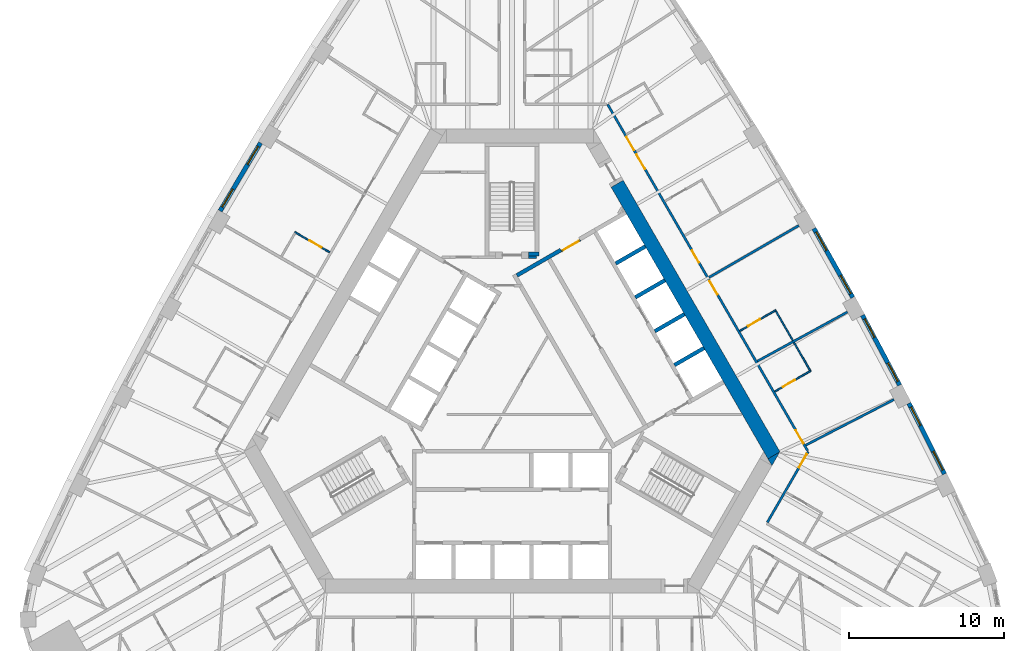
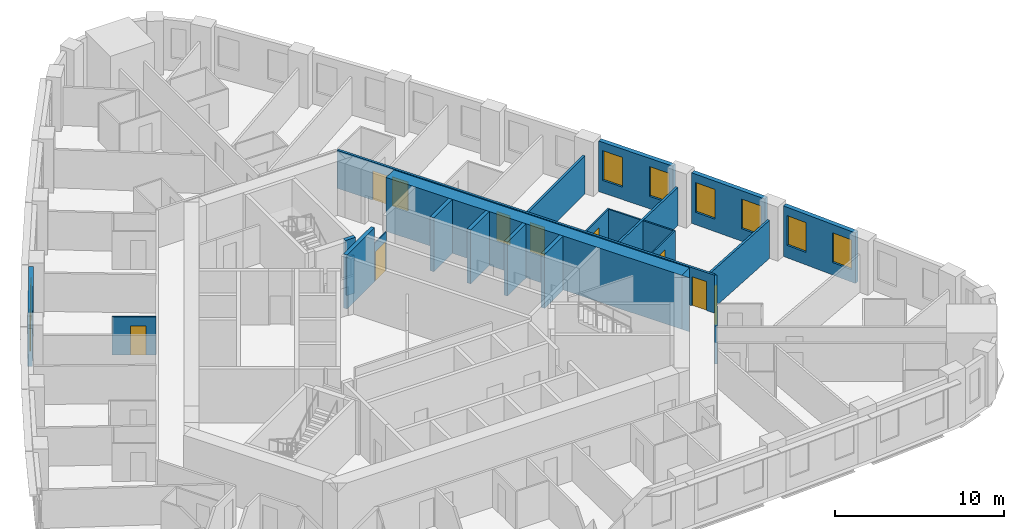
# One storey, part 9 of 13: 24 walls, 10 doors, 8 windows, 18 openings.
"""IFC4 building model written with IfcOpenShell, lengths in metres."""

from ifc_helpers import new_model, si_unit, direction, frame, frame_2d, origin, place, context, subcontext, project, spatial, polyline, rectangle, outline, extrude, material, layer, layer_set, type_object, element, fill, save


model = new_model("IFC4")

# Units and contexts
model_context = context("Model", 3, precision=1e-05, world=origin(), true_north=direction((0.0, 1.0)))
body_context = subcontext(model_context, "Body", "Model", "MODEL_VIEW")
ifc_project = project(units=[si_unit("LENGTHUNIT", "METRE"), si_unit("AREAUNIT", "SQUARE_METRE"), si_unit("VOLUMEUNIT", "CUBIC_METRE"), si_unit("PLANEANGLEUNIT", "RADIAN"), si_unit("MASSUNIT", "GRAM", prefix="KILO")], contexts=[model_context])

# Site, building, storey
site_placement = place(None, origin())
site = spatial("IfcSite", under=ifc_project, at=site_placement, CompositionType="ELEMENT")
building_placement = place(site_placement, origin())
building = spatial("IfcBuilding", under=site, at=building_placement, Name="Mestral Congress Tower", CompositionType="ELEMENT")
storey_placement = place(building_placement, frame((0.0, 0.0, 91.5)))
storey = spatial("IfcBuildingStorey", under=building, at=storey_placement, Name="L21", CompositionType="ELEMENT", Elevation=91.5)

# Wall
ifc_material_1 = material(Name="Fire-rated board partition")
ifc_layer_1 = layer(ifc_material_1, 0.14990234375)
ifc_layer_set_1 = layer_set([ifc_layer_1], Name="Fire-rated board partition")
wall_type_1 = type_object("IfcWallType", Name="Core partition 150", PredefinedType="PARTITIONING", material=ifc_layer_set_1)
wall_1_placement = place(storey_placement, frame((1.050048828125, 8.62548828125, 0.0), z_axis=(0.0, 0.0, 1.0), x_axis=(1.0, 0.0, 0.0)))
element("IfcWall", 1, at=wall_1_placement, inside=storey, type_object=wall_type_1, Name="L21 core wall", PredefinedType="PARTITIONING", context=body_context, shape_type="SweptSolid", body=[
    extrude(rectangle(XDim=0.513916015625, YDim=0.14990234375, at=frame_2d((0.2568359375, 0.0))), origin(), (0.0, 0.0, 1.0), 2.75),
])

# Wall, opening, door
ifc_layer_2 = layer(ifc_material_1, 0.090087890625)
ifc_layer_set_2 = layer_set([ifc_layer_2], Name="Fire-rated board partition")
wall_type_2 = type_object("IfcWallType", Name="Core partition 150 door-wall 90", PredefinedType="PARTITIONING", material=ifc_layer_set_2)
wall_2_placement = place(storey_placement, frame((3.182861328125, 9.02001953125, 0.0), z_axis=(0.0, 0.0, 1.0), x_axis=(0.866034573852, 0.49998411664, 0.0)))
wall_2 = element("IfcWall", 2, at=wall_2_placement, inside=storey, type_object=wall_type_2, Name="L21 door wall", PredefinedType="PARTITIONING", context=body_context, shape_type="SweptSolid", body=[
    extrude(rectangle(XDim=1.39990234375, YDim=0.090087890625, at=frame_2d((0.699951171875, 0.0))), origin(), (0.0, 0.0, 1.0), 2.75),
])
opening_1_placement = place(wall_2_placement, frame((0.10009765625, 0.0, 0.0)))
opening_1 = element("IfcOpeningElement", 3, at=opening_1_placement, cuts=wall_2, Name="Opening LB1-WL2", PredefinedType="OPENING", context=body_context, shape_type="SweptSolid", body=[
    extrude(rectangle(XDim=1.199951171875, YDim=2.10009765625, at=frame_2d((0.60009765625, 1.050048828125))), frame((0.0, 0.054931640625, 0.0), z_axis=(0.0, -1.0, 0.0), x_axis=(1.0, 0.0, 0.0)), (0.0, 0.0, 1.0), 0.110107421875),
])
ifc_material_2 = material(Name="Fire-rated steel door set", Category="steel")
door_type_1 = type_object("IfcDoorType", Name="Core door LB 1200x2100", OperationType="SINGLE_SWING_LEFT", PredefinedType="DOOR", material=ifc_material_2)
door_1_placement = place(opening_1_placement, origin())
door_1 = element("IfcDoor", 4, at=door_1_placement, inside=storey, type_object=door_type_1, Name="Door LB1-WL2", OperationType="SINGLE_SWING_LEFT", OverallHeight=2.10009765625, OverallWidth=1.199951171875, PredefinedType="DOOR", context=body_context, shape_type="SweptSolid", body=[
    extrude(rectangle(XDim=1.199951171875, YDim=2.10009765625, at=frame_2d((0.60009765625, 1.050048828125))), frame((0.0, 0.02490234375, 0.0), z_axis=(0.0, -1.0, 0.0), x_axis=(1.0, 0.0, 0.0)), (0.0, 0.0, 1.0), 0.050048828125),
])
fill(opening_1, door_1)

# Walls
ifc_material_3 = material(Name="Concrete C60/75", Category="concrete")
ifc_layer_3 = layer(ifc_material_3, 0.89990234375)
ifc_layer_set_3 = layer_set([ifc_layer_3], Name="Concrete C60/75")
wall_type_3 = type_object("IfcWallType", Name="Core wall RC 900", PredefinedType="SOLIDWALL", material=ifc_layer_set_3)
wall_3_placement = place(storey_placement, frame((6.77587890625, 13.36376953125, 0.0), z_axis=(0.0, 0.0, 1.0), x_axis=(0.500004177138, -0.8660229921, 0.0)))
element("IfcWall", 5, at=wall_3_placement, inside=storey, type_object=wall_type_3, Name="L21 core wall", PredefinedType="SOLIDWALL", context=body_context, shape_type="SweptSolid", body=[
    extrude(rectangle(XDim=20.203857421875, YDim=0.89990234375, at=frame_2d((10.10205078125, 0.0))), origin(), (0.0, 0.0, 1.0), 3.89990234375),
])
wall_4_placement = place(storey_placement, origin())
element("IfcWall", 6, at=wall_4_placement, inside=storey, type_object=wall_type_3, Name="L21 core wall", PredefinedType="SOLIDWALL", context=body_context, shape_type="SweptSolid", body=[
    extrude(outline(polyline([(16.7431640625, -4.800048828125), (16.4892578125, -4.360107421875), (17.251220703125, -3.920166015625), (16.7431640625, -4.800048828125)])), origin(), (0.0, 0.0, 1.0), 3.89990234375),
])

# Wall, openings, windows
ifc_material_4 = material(Name="Precast concrete C40/50 with limestone facing", Category="masonry")
ifc_layer_4 = layer(ifc_material_4, 0.2900390625)
ifc_layer_set_4 = layer_set([ifc_layer_4], Name="Precast concrete C40/50 with limestone facing")
wall_type_4 = type_object("IfcWallType", Name="Facade stone wall 290", PredefinedType="SOLIDWALL", material=ifc_layer_set_4)
wall_5_placement = place(storey_placement, frame((27.864013671875, -5.336181640625, 0.0), z_axis=(0.0, 0.0, 1.0), x_axis=(-0.448534297211, 0.893765620409, 0.0)))
wall_5 = element("IfcWall", 7, at=wall_5_placement, inside=storey, type_object=wall_type_4, Name="Facade wall F1-01", PredefinedType="SOLIDWALL", context=body_context, shape_type="SweptSolid", body=[
    extrude(rectangle(XDim=5.10009765625, YDim=0.2900390625, at=frame_2d((2.550048828125, 0.0))), origin(), (0.0, 0.0, 1.0), 3.64990234375),
])
opening_2_placement = place(wall_5_placement, frame((0.2724609375, 0.0, 0.89990234375)))
opening_2 = element("IfcOpeningElement", 8, at=opening_2_placement, cuts=wall_5, Name="Opening W2", PredefinedType="OPENING", context=body_context, shape_type="SweptSolid", body=[
    extrude(rectangle(XDim=1.35009765625, YDim=2.14990234375, at=frame_2d((0.675048828125, 1.074951171875))), frame((0.0, 0.155029296875, 0.0), z_axis=(0.0, -1.0, 0.0), x_axis=(1.0, 0.0, 0.0)), (0.0, 0.0, 1.0), 0.31005859375),
])
opening_3_placement = place(wall_5_placement, frame((3.477783203125, 0.0, 0.89990234375)))
opening_3 = element("IfcOpeningElement", 9, at=opening_3_placement, cuts=wall_5, Name="Opening W2", PredefinedType="OPENING", context=body_context, shape_type="SweptSolid", body=[
    extrude(rectangle(XDim=1.35009765625, YDim=2.14990234375, at=frame_2d((0.675048828125, 1.074951171875))), frame((0.0, 0.155029296875, 0.0), z_axis=(0.0, -1.0, 0.0), x_axis=(1.0, 0.0, 0.0)), (0.0, 0.0, 1.0), 0.31005859375),
])
ifc_material_5 = material(Name="Clear low-emissivity double glazing", Category="glass")
window_type = type_object("IfcWindowType", Name="Facade punched window 1350 x 2150 sill 900", PartitioningType="DOUBLE_PANEL_VERTICAL", PredefinedType="WINDOW", material=ifc_material_5)
window_1_placement = place(opening_2_placement, origin())
window_1 = element("IfcWindow", 10, at=window_1_placement, inside=storey, type_object=window_type, Name="Window F1-01a", OverallHeight=2.14990234375, OverallWidth=1.35009765625, PartitioningType="DOUBLE_PANEL_VERTICAL", PredefinedType="WINDOW", context=body_context, shape_type="SweptSolid", body=[
    extrude(rectangle(XDim=1.35009765625, YDim=2.14990234375, at=frame_2d((0.675048828125, 1.074951171875))), frame((0.0, 0.01513671875, 0.0), z_axis=(0.0, -1.0, 0.0), x_axis=(1.0, 0.0, 0.0)), (0.0, 0.0, 1.0), 0.06005859375),
])
fill(opening_2, window_1)
window_2_placement = place(opening_3_placement, origin())
window_2 = element("IfcWindow", 11, at=window_2_placement, inside=storey, type_object=window_type, Name="Window F1-01b", OverallHeight=2.14990234375, OverallWidth=1.35009765625, PartitioningType="DOUBLE_PANEL_VERTICAL", PredefinedType="WINDOW", context=body_context, shape_type="SweptSolid", body=[
    extrude(rectangle(XDim=1.35009765625, YDim=2.14990234375, at=frame_2d((0.675048828125, 1.074951171875))), frame((0.0, 0.01513671875, 0.0), z_axis=(0.0, -1.0, 0.0), x_axis=(1.0, 0.0, 0.0)), (0.0, 0.0, 1.0), 0.06005859375),
])
fill(opening_3, window_2)

wall_6_placement = place(storey_placement, frame((24.976806640625, 0.3828125, 0.0), z_axis=(0.0, 0.0, 1.0), x_axis=(-0.469323203119, 0.883026461106, 0.0)))
wall_6 = element("IfcWall", 12, at=wall_6_placement, inside=storey, type_object=wall_type_4, Name="Facade wall F1-02", PredefinedType="SOLIDWALL", context=body_context, shape_type="SweptSolid", body=[
    extrude(rectangle(XDim=5.1005859375, YDim=0.2900390625, at=frame_2d((2.55029296875, 0.0))), origin(), (0.0, 0.0, 1.0), 3.64990234375),
])
opening_4_placement = place(wall_6_placement, frame((0.272705078125, 0.0, 0.89990234375)))
opening_4 = element("IfcOpeningElement", 13, at=opening_4_placement, cuts=wall_6, Name="Opening W2", PredefinedType="OPENING", context=body_context, shape_type="SweptSolid", body=[
    extrude(rectangle(XDim=1.35009765625, YDim=2.14990234375, at=frame_2d((0.675048828125, 1.074951171875))), frame((0.0, 0.155029296875, 0.0), z_axis=(0.0, -1.0, 0.0), x_axis=(1.0, 0.0, 0.0)), (0.0, 0.0, 1.0), 0.31005859375),
])
opening_5_placement = place(wall_6_placement, frame((3.477783203125, 0.0, 0.89990234375)))
opening_5 = element("IfcOpeningElement", 14, at=opening_5_placement, cuts=wall_6, Name="Opening W2", PredefinedType="OPENING", context=body_context, shape_type="SweptSolid", body=[
    extrude(rectangle(XDim=1.35009765625, YDim=2.14990234375, at=frame_2d((0.675048828125, 1.074951171875))), frame((0.0, 0.155029296875, 0.0), z_axis=(0.0, -1.0, 0.0), x_axis=(1.0, 0.0, 0.0)), (0.0, 0.0, 1.0), 0.31005859375),
])
window_3_placement = place(opening_4_placement, origin())
window_3 = element("IfcWindow", 15, at=window_3_placement, inside=storey, type_object=window_type, Name="Window F1-02a", OverallHeight=2.14990234375, OverallWidth=1.35009765625, PartitioningType="DOUBLE_PANEL_VERTICAL", PredefinedType="WINDOW", context=body_context, shape_type="SweptSolid", body=[
    extrude(rectangle(XDim=1.35009765625, YDim=2.14990234375, at=frame_2d((0.675048828125, 1.074951171875))), frame((0.0, 0.01513671875, 0.0), z_axis=(0.0, -1.0, 0.0), x_axis=(1.0, 0.0, 0.0)), (0.0, 0.0, 1.0), 0.06005859375),
])
fill(opening_4, window_3)
window_4_placement = place(opening_5_placement, origin())
window_4 = element("IfcWindow", 16, at=window_4_placement, inside=storey, type_object=window_type, Name="Window F1-02b", OverallHeight=2.14990234375, OverallWidth=1.35009765625, PartitioningType="DOUBLE_PANEL_VERTICAL", PredefinedType="WINDOW", context=body_context, shape_type="SweptSolid", body=[
    extrude(rectangle(XDim=1.35009765625, YDim=2.14990234375, at=frame_2d((0.675048828125, 1.074951171875))), frame((0.0, 0.01513671875, 0.0), z_axis=(0.0, -1.0, 0.0), x_axis=(1.0, 0.0, 0.0)), (0.0, 0.0, 1.0), 0.06005859375),
])
fill(opening_5, window_4)

wall_7_placement = place(storey_placement, frame((21.956298828125, 6.033203125, 0.0), z_axis=(0.0, 0.0, 1.0), x_axis=(-0.48983164787, 0.87181704316, 0.0)))
wall_7 = element("IfcWall", 17, at=wall_7_placement, inside=storey, type_object=wall_type_4, Name="Facade wall F1-03", PredefinedType="SOLIDWALL", context=body_context, shape_type="SweptSolid", body=[
    extrude(rectangle(XDim=5.100341796875, YDim=0.2900390625, at=frame_2d((2.55029296875, 0.0))), origin(), (0.0, 0.0, 1.0), 3.64990234375),
])
opening_6_placement = place(wall_7_placement, frame((0.272705078125, 0.0, 0.89990234375)))
opening_6 = element("IfcOpeningElement", 18, at=opening_6_placement, cuts=wall_7, Name="Opening W2", PredefinedType="OPENING", context=body_context, shape_type="SweptSolid", body=[
    extrude(rectangle(XDim=1.35009765625, YDim=2.14990234375, at=frame_2d((0.675048828125, 1.074951171875))), frame((0.0, 0.155029296875, 0.0), z_axis=(0.0, -1.0, 0.0), x_axis=(1.0, 0.0, 0.0)), (0.0, 0.0, 1.0), 0.31005859375),
])
opening_7_placement = place(wall_7_placement, frame((3.477783203125, 0.0, 0.89990234375)))
opening_7 = element("IfcOpeningElement", 19, at=opening_7_placement, cuts=wall_7, Name="Opening W2", PredefinedType="OPENING", context=body_context, shape_type="SweptSolid", body=[
    extrude(rectangle(XDim=1.35009765625, YDim=2.14990234375, at=frame_2d((0.675048828125, 1.074951171875))), frame((0.0, 0.155029296875, 0.0), z_axis=(0.0, -1.0, 0.0), x_axis=(1.0, 0.0, 0.0)), (0.0, 0.0, 1.0), 0.31005859375),
])
window_5_placement = place(opening_6_placement, origin())
window_5 = element("IfcWindow", 20, at=window_5_placement, inside=storey, type_object=window_type, Name="Window F1-03a", OverallHeight=2.14990234375, OverallWidth=1.35009765625, PartitioningType="DOUBLE_PANEL_VERTICAL", PredefinedType="WINDOW", context=body_context, shape_type="SweptSolid", body=[
    extrude(rectangle(XDim=1.35009765625, YDim=2.14990234375, at=frame_2d((0.675048828125, 1.074951171875))), frame((0.0, 0.01513671875, 0.0), z_axis=(0.0, -1.0, 0.0), x_axis=(1.0, 0.0, 0.0)), (0.0, 0.0, 1.0), 0.06005859375),
])
fill(opening_6, window_5)
window_6_placement = place(opening_7_placement, origin())
window_6 = element("IfcWindow", 21, at=window_6_placement, inside=storey, type_object=window_type, Name="Window F1-03b", OverallHeight=2.14990234375, OverallWidth=1.35009765625, PartitioningType="DOUBLE_PANEL_VERTICAL", PredefinedType="WINDOW", context=body_context, shape_type="SweptSolid", body=[
    extrude(rectangle(XDim=1.35009765625, YDim=2.14990234375, at=frame_2d((0.675048828125, 1.074951171875))), frame((0.0, 0.01513671875, 0.0), z_axis=(0.0, -1.0, 0.0), x_axis=(1.0, 0.0, 0.0)), (0.0, 0.0, 1.0), 0.06005859375),
])
fill(opening_7, window_6)

wall_8_placement = place(storey_placement, frame((-16.203125, 15.998291015625, 0.0), z_axis=(0.0, 0.0, 1.0), x_axis=(-0.510054281659, -0.860142214847, 0.0)))
wall_8 = element("IfcWall", 22, at=wall_8_placement, inside=storey, type_object=wall_type_4, Name="Facade wall F2-03", PredefinedType="SOLIDWALL", context=body_context, shape_type="SweptSolid", body=[
    extrude(rectangle(XDim=5.1005859375, YDim=0.2900390625, at=frame_2d((2.55029296875, 0.0))), origin(), (0.0, 0.0, 1.0), 3.64990234375),
])
opening_8_placement = place(wall_8_placement, frame((0.272705078125, 0.0, 0.89990234375)))
opening_8 = element("IfcOpeningElement", 23, at=opening_8_placement, cuts=wall_8, Name="Opening W2", PredefinedType="OPENING", context=body_context, shape_type="SweptSolid", body=[
    extrude(rectangle(XDim=1.35009765625, YDim=2.14990234375, at=frame_2d((0.675048828125, 1.074951171875))), frame((0.0, 0.155029296875, 0.0), z_axis=(0.0, -1.0, 0.0), x_axis=(1.0, 0.0, 0.0)), (0.0, 0.0, 1.0), 0.31005859375),
])
opening_9_placement = place(wall_8_placement, frame((3.477783203125, 0.0, 0.89990234375)))
opening_9 = element("IfcOpeningElement", 24, at=opening_9_placement, cuts=wall_8, Name="Opening W2", PredefinedType="OPENING", context=body_context, shape_type="SweptSolid", body=[
    extrude(rectangle(XDim=1.35009765625, YDim=2.14990234375, at=frame_2d((0.675048828125, 1.074951171875))), frame((0.0, 0.155029296875, 0.0), z_axis=(0.0, -1.0, 0.0), x_axis=(1.0, 0.0, 0.0)), (0.0, 0.0, 1.0), 0.31005859375),
])
window_7_placement = place(opening_8_placement, origin())
window_7 = element("IfcWindow", 25, at=window_7_placement, inside=storey, type_object=window_type, Name="Window F2-03a", OverallHeight=2.14990234375, OverallWidth=1.35009765625, PartitioningType="DOUBLE_PANEL_VERTICAL", PredefinedType="WINDOW", context=body_context, shape_type="SweptSolid", body=[
    extrude(rectangle(XDim=1.35009765625, YDim=2.14990234375, at=frame_2d((0.675048828125, 1.074951171875))), frame((0.0, 0.01513671875, 0.0), z_axis=(0.0, -1.0, 0.0), x_axis=(1.0, 0.0, 0.0)), (0.0, 0.0, 1.0), 0.06005859375),
])
fill(opening_8, window_7)
window_8_placement = place(opening_9_placement, origin())
window_8 = element("IfcWindow", 26, at=window_8_placement, inside=storey, type_object=window_type, Name="Window F2-03b", OverallHeight=2.14990234375, OverallWidth=1.35009765625, PartitioningType="DOUBLE_PANEL_VERTICAL", PredefinedType="WINDOW", context=body_context, shape_type="SweptSolid", body=[
    extrude(rectangle(XDim=1.35009765625, YDim=2.14990234375, at=frame_2d((0.675048828125, 1.074951171875))), frame((0.0, 0.01513671875, 0.0), z_axis=(0.0, -1.0, 0.0), x_axis=(1.0, 0.0, 0.0)), (0.0, 0.0, 1.0), 0.06005859375),
])
fill(opening_9, window_8)

# Wall, opening, door
ifc_material_6 = material(Name="Gypsum board partition on metal studs with mineral wool", Category="composite")
ifc_layer_5 = layer(ifc_material_6, 0.10009765625)
ifc_layer_set_5 = layer_set([ifc_layer_5], Name="Gypsum board partition on metal studs with mineral wool")
wall_type_5 = type_object("IfcWallType", Name="Hotel partition wall 100", PredefinedType="PARTITIONING", material=ifc_layer_set_5)
wall_9_placement = place(storey_placement, frame((16.931396484375, -0.02587890625, 0.0), z_axis=(0.0, 0.0, 1.0), x_axis=(0.866059108428, 0.4999416173, 0.0)))
wall_9 = element("IfcWall", 27, at=wall_9_placement, inside=storey, type_object=wall_type_5, Name="L21-h-pod12a", PredefinedType="PARTITIONING", context=body_context, shape_type="SweptSolid", body=[
    extrude(rectangle(XDim=2.699951171875, YDim=0.10009765625, at=frame_2d((1.35009765625, 0.0))), origin(), (0.0, 0.0, 1.0), 2.75),
])
opening_10_placement = place(wall_9_placement, frame((0.60009765625, 0.0, 0.0)))
opening_10 = element("IfcOpeningElement", 28, at=opening_10_placement, cuts=wall_9, Name="Opening H06-023", PredefinedType="OPENING", context=body_context, shape_type="SweptSolid", body=[
    extrude(rectangle(XDim=0.89990234375, YDim=2.10009765625, at=frame_2d((0.449951171875, 1.050048828125))), frame((0.0, 0.06005859375, 0.0), z_axis=(0.0, -1.0, 0.0), x_axis=(1.0, 0.0, 0.0)), (0.0, 0.0, 1.0), 0.1201171875),
])
ifc_material_7 = material(Name="Timber veneer door leaf in timber frame", Category="wood")
door_type_2 = type_object("IfcDoorType", Name="Bathroom door 900", OperationType="SINGLE_SWING_LEFT", PredefinedType="DOOR", material=ifc_material_7)
door_2_placement = place(opening_10_placement, origin())
door_2 = element("IfcDoor", 29, at=door_2_placement, inside=storey, type_object=door_type_2, Name="L21-h-d023", OperationType="SINGLE_SWING_RIGHT", OverallHeight=2.10009765625, OverallWidth=0.89990234375, PredefinedType="DOOR", context=body_context, shape_type="SweptSolid", body=[
    extrude(rectangle(XDim=0.89990234375, YDim=2.10009765625, at=frame_2d((0.449951171875, 1.050048828125))), frame((0.0, 0.02490234375, 0.0), z_axis=(0.0, -1.0, 0.0), x_axis=(1.0, 0.0, 0.0)), (0.0, 0.0, 1.0), 0.050048828125),
])
fill(opening_10, door_2)

# Wall
wall_10_placement = place(storey_placement, frame((19.1962890625, 1.350830078125, 0.0), z_axis=(0.0, 0.0, 1.0), x_axis=(-0.499956128963, 0.866050731258, 0.0)))
element("IfcWall", 30, at=wall_10_placement, inside=storey, type_object=wall_type_5, Name="L21-h-pod12b", PredefinedType="PARTITIONING", context=body_context, shape_type="SweptSolid", body=[
    extrude(rectangle(XDim=2.050048828125, YDim=0.10009765625, at=frame_2d((1.02490234375, 0.0))), origin(), (0.0, 0.0, 1.0), 2.75),
])

# Wall, opening, door
wall_11_placement = place(storey_placement, frame((17.015625, 5.22802734375, 0.0), z_axis=(0.0, 0.0, 1.0), x_axis=(-0.86599734893, -0.500048589285, 0.0)))
wall_11 = element("IfcWall", 31, at=wall_11_placement, inside=storey, type_object=wall_type_5, Name="L21-h-pod13a", PredefinedType="PARTITIONING", context=body_context, shape_type="SweptSolid", body=[
    extrude(rectangle(XDim=2.699951171875, YDim=0.10009765625, at=frame_2d((1.35009765625, 0.0))), origin(), (0.0, 0.0, 1.0), 2.75),
])
opening_11_placement = place(wall_11_placement, frame((1.199951171875, 0.0, 0.0)))
opening_11 = element("IfcOpeningElement", 32, at=opening_11_placement, cuts=wall_11, Name="Opening H06-025", PredefinedType="OPENING", context=body_context, shape_type="SweptSolid", body=[
    extrude(rectangle(XDim=0.89990234375, YDim=2.10009765625, at=frame_2d((0.449951171875, 1.050048828125))), frame((0.0, 0.06005859375, 0.0), z_axis=(0.0, -1.0, 0.0), x_axis=(1.0, 0.0, 0.0)), (0.0, 0.0, 1.0), 0.1201171875),
])
door_3_placement = place(opening_11_placement, origin())
door_3 = element("IfcDoor", 33, at=door_3_placement, inside=storey, type_object=door_type_2, Name="L21-h-d025", OperationType="SINGLE_SWING_LEFT", OverallHeight=2.10009765625, OverallWidth=0.89990234375, PredefinedType="DOOR", context=body_context, shape_type="SweptSolid", body=[
    extrude(rectangle(XDim=0.89990234375, YDim=2.10009765625, at=frame_2d((0.449951171875, 1.050048828125))), frame((0.0, 0.02490234375, 0.0), z_axis=(0.0, -1.0, 0.0), x_axis=(1.0, 0.0, 0.0)), (0.0, 0.0, 1.0), 0.050048828125),
])
fill(opening_11, door_3)

# Wall
wall_12_placement = place(storey_placement, frame((16.997314453125, 5.15966796875, 0.0), z_axis=(0.0, 0.0, 1.0), x_axis=(0.500011965869, -0.866018495177, 0.0)))
element("IfcWall", 34, at=wall_12_placement, inside=storey, type_object=wall_type_5, Name="L21-h-pod13b", PredefinedType="PARTITIONING", context=body_context, shape_type="SweptSolid", body=[
    extrude(rectangle(XDim=2.18994140625, YDim=0.10009765625, at=frame_2d((1.094970703125, 0.0))), origin(), (0.0, 0.0, 1.0), 2.75),
])

# Wall, opening, door
wall_13_placement = place(storey_placement, frame((-11.74951171875, 8.949462890625, 0.0), z_axis=(0.0, 0.0, 1.0), x_axis=(-0.865997922154, 0.500047596559, 0.0)))
wall_13 = element("IfcWall", 35, at=wall_13_placement, inside=storey, type_object=wall_type_5, Name="L21-h-pod22a", PredefinedType="PARTITIONING", context=body_context, shape_type="SweptSolid", body=[
    extrude(rectangle(XDim=2.599853515625, YDim=0.10009765625, at=frame_2d((1.2998046875, 0.0))), origin(), (0.0, 0.0, 1.0), 2.75),
])
opening_12_placement = place(wall_13_placement, frame((0.60009765625, 0.0, 0.0)))
opening_12 = element("IfcOpeningElement", 36, at=opening_12_placement, cuts=wall_13, Name="Opening H06-042", PredefinedType="OPENING", context=body_context, shape_type="SweptSolid", body=[
    extrude(rectangle(XDim=0.89990234375, YDim=2.10009765625, at=frame_2d((0.449951171875, 1.050048828125))), frame((0.0, 0.06005859375, 0.0), z_axis=(0.0, -1.0, 0.0), x_axis=(1.0, 0.0, 0.0)), (0.0, 0.0, 1.0), 0.1201171875),
])
door_4_placement = place(opening_12_placement, origin())
door_4 = element("IfcDoor", 37, at=door_4_placement, inside=storey, type_object=door_type_2, Name="L21-h-d042", OperationType="SINGLE_SWING_LEFT", OverallHeight=2.10009765625, OverallWidth=0.89990234375, PredefinedType="DOOR", context=body_context, shape_type="SweptSolid", body=[
    extrude(rectangle(XDim=0.89990234375, YDim=2.10009765625, at=frame_2d((0.449951171875, 1.050048828125))), frame((0.0, 0.02490234375, 0.0), z_axis=(0.0, -1.0, 0.0), x_axis=(1.0, 0.0, 0.0)), (0.0, 0.0, 1.0), 0.050048828125),
])
fill(opening_12, door_4)

ifc_layer_6 = layer(ifc_material_6, 0.14990234375)
ifc_layer_set_6 = layer_set([ifc_layer_6], Name="Gypsum board partition on metal studs with mineral wool")
wall_type_6 = type_object("IfcWallType", Name="Hotel partition wall 150", PredefinedType="PARTITIONING", material=ifc_layer_set_6)
wall_14_placement = place(storey_placement, frame((19.081298828125, -3.89990234375, 0.0), z_axis=(0.0, 0.0, 1.0), x_axis=(-0.499974327079, -0.866040225545, 0.0)))
wall_14 = element("IfcWall", 38, at=wall_14_placement, inside=storey, type_object=wall_type_6, Name="L21-h-cw02", PredefinedType="PARTITIONING", context=body_context, shape_type="SweptSolid", body=[
    extrude(rectangle(XDim=5.258056640625, YDim=0.14990234375, at=frame_2d((2.62890625, 0.0))), origin(), (0.0, 0.0, 1.0), 2.75),
])
opening_13_placement = place(wall_14_placement, frame((0.179931640625, 0.0, 0.0)))
opening_13 = element("IfcOpeningElement", 39, at=opening_13_placement, cuts=wall_14, Name="Opening H06-020", PredefinedType="OPENING", context=body_context, shape_type="SweptSolid", body=[
    extrude(rectangle(XDim=1.0, YDim=2.10009765625, at=frame_2d((0.5, 1.050048828125))), frame((0.0, 0.0849609375, 0.0), z_axis=(0.0, -1.0, 0.0), x_axis=(1.0, 0.0, 0.0)), (0.0, 0.0, 1.0), 0.169921875),
])
ifc_material_8 = material(Name="Timber veneer door leaf in metal frame", Category="wood")
door_type_3 = type_object("IfcDoorType", Name="Guest room entrance door 1000", OperationType="SINGLE_SWING_LEFT", PredefinedType="DOOR", material=ifc_material_8)
door_5_placement = place(opening_13_placement, origin())
door_5 = element("IfcDoor", 40, at=door_5_placement, inside=storey, type_object=door_type_3, Name="L21-h-d020", OperationType="SINGLE_SWING_LEFT", OverallHeight=2.10009765625, OverallWidth=1.0, PredefinedType="DOOR", context=body_context, shape_type="SweptSolid", body=[
    extrude(rectangle(XDim=1.0, YDim=2.10009765625, at=frame_2d((0.5, 1.050048828125))), frame((0.0, 0.02490234375, 0.0), z_axis=(0.0, -1.0, 0.0), x_axis=(1.0, 0.0, 0.0)), (0.0, 0.0, 1.0), 0.050048828125),
])
fill(opening_13, door_5)

# Wall, openings, doors
wall_15_placement = place(storey_placement, frame((6.1630859375, 18.47509765625, 0.0), z_axis=(0.0, 0.0, 1.0), x_axis=(0.500001317485, -0.866024643133, 0.0)))
wall_15 = element("IfcWall", 41, at=wall_15_placement, inside=storey, type_object=wall_type_6, Name="L21-h-cw03", PredefinedType="PARTITIONING", context=body_context, shape_type="SweptSolid", body=[
    extrude(rectangle(XDim=25.7666015625, YDim=0.14990234375, at=frame_2d((12.88330078125, 0.0))), origin(), (0.0, 0.0, 1.0), 2.75),
])
opening_14_placement = place(wall_15_placement, frame((24.24072265625, 0.0, 0.0)))
opening_14 = element("IfcOpeningElement", 42, at=opening_14_placement, cuts=wall_15, Name="Opening H06-022", PredefinedType="OPENING", context=body_context, shape_type="SweptSolid", body=[
    extrude(rectangle(XDim=1.0, YDim=2.10009765625, at=frame_2d((0.5, 1.050048828125))), frame((0.0, 0.0849609375, 0.0), z_axis=(0.0, -1.0, 0.0), x_axis=(1.0, 0.0, 0.0)), (0.0, 0.0, 1.0), 0.169921875),
])
opening_15_placement = place(wall_15_placement, frame((13.143798828125, 0.0, 0.0)))
opening_15 = element("IfcOpeningElement", 43, at=opening_15_placement, cuts=wall_15, Name="Opening H06-024", PredefinedType="OPENING", context=body_context, shape_type="SweptSolid", body=[
    extrude(rectangle(XDim=1.0, YDim=2.10009765625, at=frame_2d((0.5, 1.050048828125))), frame((0.0, 0.0849609375, 0.0), z_axis=(0.0, -1.0, 0.0), x_axis=(1.0, 0.0, 0.0)), (0.0, 0.0, 1.0), 0.169921875),
])
opening_16_placement = place(wall_15_placement, frame((10.873779296875, 0.0, 0.0)))
opening_16 = element("IfcOpeningElement", 44, at=opening_16_placement, cuts=wall_15, Name="Opening H06-026", PredefinedType="OPENING", context=body_context, shape_type="SweptSolid", body=[
    extrude(rectangle(XDim=0.89990234375, YDim=2.10009765625, at=frame_2d((0.449951171875, 1.050048828125))), frame((0.0, 0.0849609375, 0.0), z_axis=(0.0, -1.0, 0.0), x_axis=(1.0, 0.0, 0.0)), (0.0, 0.0, 1.0), 0.169921875),
])
opening_17_placement = place(wall_15_placement, frame((3.718017578125, 0.0, 0.0)))
opening_17 = element("IfcOpeningElement", 45, at=opening_17_placement, cuts=wall_15, Name="Opening H06-027", PredefinedType="OPENING", context=body_context, shape_type="SweptSolid", body=[
    extrude(rectangle(XDim=1.10009765625, YDim=2.10009765625, at=frame_2d((0.550048828125, 1.050048828125))), frame((0.0, 0.0849609375, 0.0), z_axis=(0.0, -1.0, 0.0), x_axis=(1.0, 0.0, 0.0)), (0.0, 0.0, 1.0), 0.169921875),
])
opening_18_placement = place(wall_15_placement, frame((2.410888671875, 0.0, 0.0)))
opening_18 = element("IfcOpeningElement", 46, at=opening_18_placement, cuts=wall_15, Name="Opening H06-029", PredefinedType="OPENING", context=body_context, shape_type="SweptSolid", body=[
    extrude(rectangle(XDim=1.0, YDim=2.10009765625, at=frame_2d((0.5, 1.050048828125))), frame((0.0, 0.0849609375, 0.0), z_axis=(0.0, -1.0, 0.0), x_axis=(1.0, 0.0, 0.0)), (0.0, 0.0, 1.0), 0.169921875),
])
door_type_4 = type_object("IfcDoorType", Name="Accessible room entrance door 1100", OperationType="SINGLE_SWING_LEFT", PredefinedType="DOOR", material=ifc_material_8)
door_6_placement = place(opening_17_placement, origin())
door_6 = element("IfcDoor", 47, at=door_6_placement, inside=storey, type_object=door_type_4, Name="L21-h-d027", OperationType="SINGLE_SWING_LEFT", OverallHeight=2.10009765625, OverallWidth=1.10009765625, PredefinedType="DOOR", context=body_context, shape_type="SweptSolid", body=[
    extrude(rectangle(XDim=1.10009765625, YDim=2.10009765625, at=frame_2d((0.550048828125, 1.050048828125))), frame((0.0, 0.02490234375, 0.0), z_axis=(0.0, -1.0, 0.0), x_axis=(1.0, 0.0, 0.0)), (0.0, 0.0, 1.0), 0.050048828125),
])
fill(opening_17, door_6)
door_7_placement = place(opening_14_placement, origin())
door_7 = element("IfcDoor", 48, at=door_7_placement, inside=storey, type_object=door_type_3, Name="L21-h-d022", OperationType="SINGLE_SWING_RIGHT", OverallHeight=2.10009765625, OverallWidth=1.0, PredefinedType="DOOR", context=body_context, shape_type="SweptSolid", body=[
    extrude(rectangle(XDim=1.0, YDim=2.10009765625, at=frame_2d((0.5, 1.050048828125))), frame((0.0, 0.02490234375, 0.0), z_axis=(0.0, -1.0, 0.0), x_axis=(1.0, 0.0, 0.0)), (0.0, 0.0, 1.0), 0.050048828125),
])
fill(opening_14, door_7)
door_8_placement = place(opening_15_placement, origin())
door_8 = element("IfcDoor", 49, at=door_8_placement, inside=storey, type_object=door_type_3, Name="L21-h-d024", OperationType="SINGLE_SWING_LEFT", OverallHeight=2.10009765625, OverallWidth=1.0, PredefinedType="DOOR", context=body_context, shape_type="SweptSolid", body=[
    extrude(rectangle(XDim=1.0, YDim=2.10009765625, at=frame_2d((0.5, 1.050048828125))), frame((0.0, 0.02490234375, 0.0), z_axis=(0.0, -1.0, 0.0), x_axis=(1.0, 0.0, 0.0)), (0.0, 0.0, 1.0), 0.050048828125),
])
fill(opening_15, door_8)
door_9_placement = place(opening_18_placement, origin())
door_9 = element("IfcDoor", 50, at=door_9_placement, inside=storey, type_object=door_type_3, Name="L21-h-d029", OperationType="SINGLE_SWING_RIGHT", OverallHeight=2.10009765625, OverallWidth=1.0, PredefinedType="DOOR", context=body_context, shape_type="SweptSolid", body=[
    extrude(rectangle(XDim=1.0, YDim=2.10009765625, at=frame_2d((0.5, 1.050048828125))), frame((0.0, 0.02490234375, 0.0), z_axis=(0.0, -1.0, 0.0), x_axis=(1.0, 0.0, 0.0)), (0.0, 0.0, 1.0), 0.050048828125),
])
fill(opening_18, door_9)
door_type_5 = type_object("IfcDoorType", Name="Service room door 900", OperationType="SINGLE_SWING_LEFT", PredefinedType="DOOR", material=ifc_material_8)
door_10_placement = place(opening_16_placement, origin())
door_10 = element("IfcDoor", 51, at=door_10_placement, inside=storey, type_object=door_type_5, Name="L21-h-d026", OperationType="SINGLE_SWING_RIGHT", OverallHeight=2.10009765625, OverallWidth=0.89990234375, PredefinedType="DOOR", context=body_context, shape_type="SweptSolid", body=[
    extrude(rectangle(XDim=0.89990234375, YDim=2.10009765625, at=frame_2d((0.449951171875, 1.050048828125))), frame((0.0, 0.02490234375, 0.0), z_axis=(0.0, -1.0, 0.0), x_axis=(1.0, 0.0, 0.0)), (0.0, 0.0, 1.0), 0.050048828125),
])
fill(opening_16, door_10)

# Walls
wall_16_placement = place(storey_placement, frame((18.484130859375, 10.671875, 0.0), z_axis=(0.0, 0.0, 1.0), x_axis=(-0.866019162053, -0.50001081084, 0.0)))
element("IfcWall", 52, at=wall_16_placement, inside=storey, type_object=wall_type_6, Name="L21-h-pw23", PredefinedType="PARTITIONING", context=body_context, shape_type="SweptSolid", body=[
    extrude(rectangle(XDim=6.693603515625, YDim=0.14990234375, at=frame_2d((3.3466796875, 0.0))), origin(), (0.0, 0.0, 1.0), 2.75),
])
wall_17_placement = place(storey_placement, frame((21.614013671875, 5.1015625, 0.0), z_axis=(0.0, 0.0, 1.0), x_axis=(-0.877484555087, -0.479604895287, 0.0)))
element("IfcWall", 53, at=wall_17_placement, inside=storey, type_object=wall_type_6, Name="L21-h-pw25", PredefinedType="PARTITIONING", context=body_context, shape_type="SweptSolid", body=[
    extrude(rectangle(XDim=6.611083984375, YDim=0.14990234375, at=frame_2d((3.3056640625, 0.0))), origin(), (0.0, 0.0, 1.0), 2.75),
])
wall_18_placement = place(storey_placement, frame((24.612548828125, -0.54052734375, 0.0), z_axis=(0.0, 0.0, 1.0), x_axis=(-0.888459912519, -0.458954228487, 0.0)))
element("IfcWall", 54, at=wall_18_placement, inside=storey, type_object=wall_type_6, Name="L21-h-pw27", PredefinedType="PARTITIONING", context=body_context, shape_type="SweptSolid", body=[
    extrude(rectangle(XDim=6.391845703125, YDim=0.14990234375, at=frame_2d((3.19580078125, 0.0))), origin(), (0.0, 0.0, 1.0), 2.75),
])
ifc_layer_7 = layer(ifc_material_3, 0.25)
ifc_layer_set_7 = layer_set([ifc_layer_7], Name="Concrete C60/75")
wall_type_7 = type_object("IfcWallType", Name="Shaft wall RC 250", PredefinedType="SOLIDWALL", material=ifc_layer_set_7)
wall_19_placement = place(storey_placement, frame((10.463623046875, 1.676513671875, 0.0), z_axis=(0.0, 0.0, 1.0), x_axis=(0.86605622881, 0.499946605688, 0.0)))
element("IfcWall", 55, at=wall_19_placement, inside=storey, type_object=wall_type_7, Name="L21 core wall", PredefinedType="SOLIDWALL", context=body_context, shape_type="SweptSolid", body=[
    extrude(rectangle(XDim=2.199951171875, YDim=0.25, at=frame_2d((1.10009765625, 0.0))), origin(), (0.0, 0.0, 1.0), 3.89990234375),
])
wall_20_placement = place(storey_placement, frame((0.314208984375, 7.455810546875, 0.0), z_axis=(0.0, 0.0, 1.0), x_axis=(0.866013897511, 0.50001992892, 0.0)))
element("IfcWall", 56, at=wall_20_placement, inside=storey, type_object=wall_type_7, Name="L21 core wall", PredefinedType="SOLIDWALL", context=body_context, shape_type="SweptSolid", body=[
    extrude(rectangle(XDim=3.267822265625, YDim=0.25, at=frame_2d((1.6337890625, 0.0))), origin(), (0.0, 0.0, 1.0), 3.89990234375),
])
for number, where, z_axis, x_axis, name in (
    (57, (6.68359375, 8.2236328125, 0.0), (0.0, 0.0, 1.0), (0.86605622881, 0.499946605688, 0.0), "L21 core wall"),
    (58, (7.943603515625, 6.041259765625, 0.0), (0.0, 0.0, 1.0), (0.86605622881, 0.499946605688, 0.0), "L21 core wall"),
    (59, (9.20361328125, 3.85888671875, 0.0), (0.0, 0.0, 1.0), (0.86605622881, 0.499946605688, 0.0), "L21 core wall"),
):
    element("IfcWall", number, at=place(storey_placement, frame(where, z_axis=z_axis, x_axis=x_axis)), inside=storey, type_object=wall_type_7, Name=name, PredefinedType="SOLIDWALL", context=body_context, shape_type="SweptSolid", body=[
        extrude(rectangle(XDim=2.199951171875, YDim=0.25, at=frame_2d((1.10009765625, 0.0))), origin(), (0.0, 0.0, 1.0), 3.89990234375),
    ])
ifc_layer_8 = layer(ifc_material_3, 0.25)
ifc_layer_set_8 = layer_set([ifc_layer_8], Name="Concrete C60/75")
wall_type_8 = type_object("IfcWallType", Name="Stair wall RC 250", PredefinedType="SOLIDWALL", material=ifc_layer_set_8)
wall_21_placement = place(storey_placement, frame((1.050048828125, 8.824951171875, 0.0), z_axis=(0.0, 0.0, 1.0), x_axis=(1.0, 0.0, 0.0)))
element("IfcWall", 60, at=wall_21_placement, inside=storey, type_object=wall_type_8, Name="L21 core wall", PredefinedType="SOLIDWALL", context=body_context, shape_type="SweptSolid", body=[
    extrude(rectangle(XDim=0.675048828125, YDim=0.25, at=frame_2d((0.33740234375, 0.0))), origin(), (0.0, 0.0, 1.0), 3.89990234375),
])

save(model, "model.ifc")
